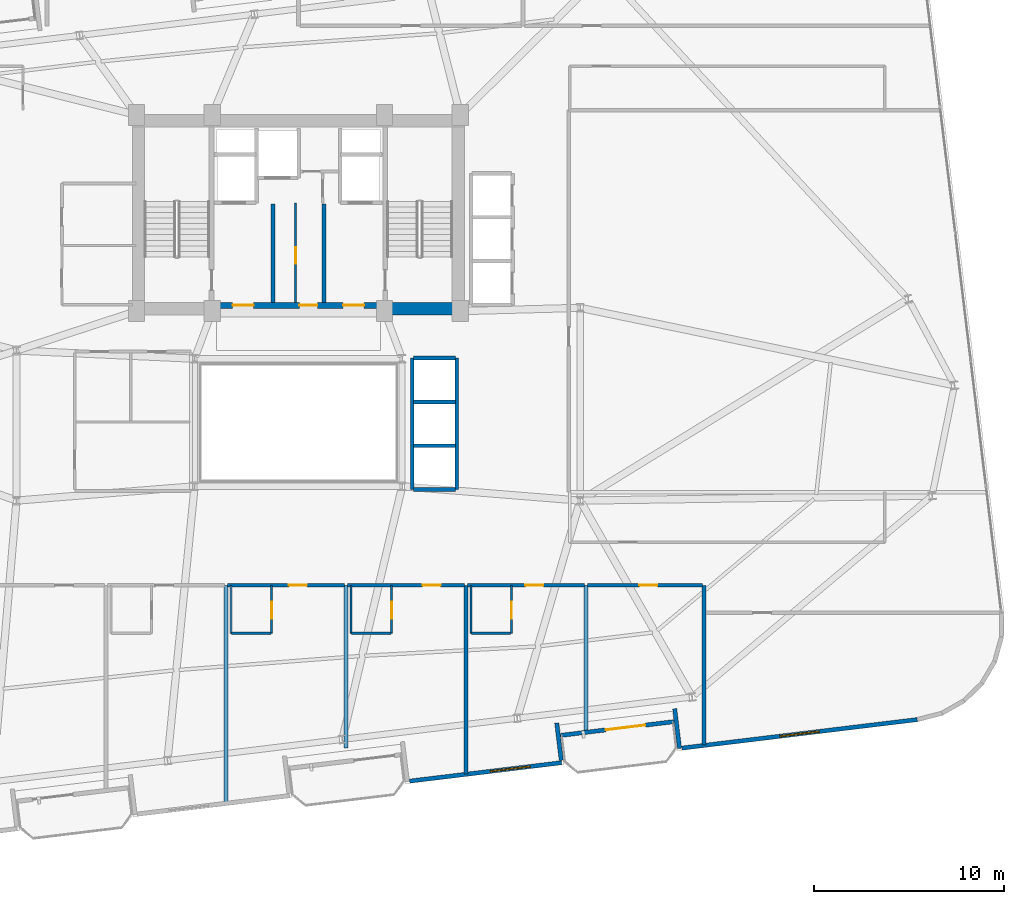
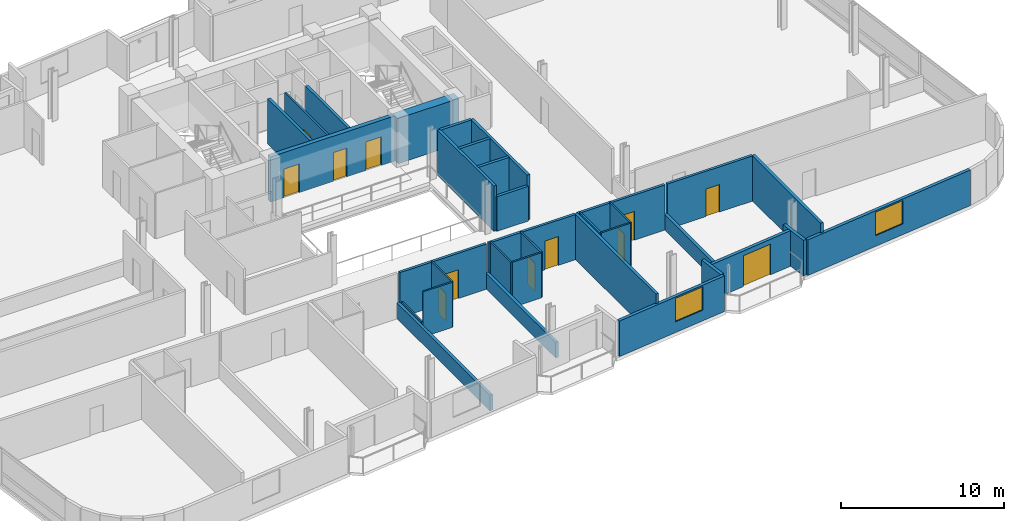
# One storey, part 15 of 22: 34 walls, 12 doors, 2 windows, 14 openings.
"""IFC4 building model written with IfcOpenShell, lengths in metres."""

from ifc_helpers import new_model, si_unit, direction, frame, frame_2d, origin, place, context, subcontext, project, spatial, rectangle, extrude, material, layer, layer_set, type_object, element, fill, save


model = new_model("IFC4")

# Units and contexts
model_context = context("Model", 3, precision=1e-05, world=origin(), true_north=direction((0.0, 1.0)))
body_context = subcontext(model_context, "Body", "Model", "MODEL_VIEW")
ifc_project = project(units=[si_unit("LENGTHUNIT", "METRE"), si_unit("AREAUNIT", "SQUARE_METRE"), si_unit("VOLUMEUNIT", "CUBIC_METRE"), si_unit("PLANEANGLEUNIT", "RADIAN"), si_unit("MASSUNIT", "GRAM", prefix="KILO")], contexts=[model_context])

# Site, building, storey
site_placement = place(None, origin())
site = spatial("IfcSite", under=ifc_project, at=site_placement, CompositionType="ELEMENT")
building_placement = place(site_placement, origin())
building = spatial("IfcBuilding", under=site, at=building_placement, Name="Varnelok Gate Tower", CompositionType="ELEMENT")
storey_placement = place(building_placement, frame((0.0, 0.0, 204.199951171875)))
storey = spatial("IfcBuildingStorey", under=building, at=storey_placement, Name="L52", CompositionType="ELEMENT", Elevation=204.199951171875)

# Wall, opening, door
ifc_material_1 = material(Name="Concrete C45/55", Category="concrete")
ifc_layer_1 = layer(ifc_material_1, 0.219970703125)
ifc_layer_set_1 = layer_set([ifc_layer_1], Name="Concrete C45/55")
wall_type_1 = type_object("IfcWallType", Name="EW-BALC-220", PredefinedType="SOLIDWALL", material=ifc_layer_set_1)
wall_1_placement = place(storey_placement, frame((58.922607421875, 7.19189453125, 0.0), z_axis=(0.0, 0.0, 1.0), x_axis=(-0.992729951822, -0.120362962556, 0.0)))
wall_1 = element("IfcWall", 1, at=wall_1_placement, inside=storey, type_object=wall_type_1, Name="L52 South Terrace Envelope Wall 3", PredefinedType="SOLIDWALL", context=body_context, shape_type="SweptSolid", body=[
    extrude(rectangle(XDim=6.0, YDim=0.219970703125, at=frame_2d((3.0, 0.0))), origin(), (0.0, 0.0, 1.0), 2.66015625),
])
opening_1_placement = place(wall_1_placement, frame((1.51611328125, 0.0, 0.0)))
opening_1 = element("IfcOpeningElement", 2, at=opening_1_placement, cuts=wall_1, Name="Opening BD-2", PredefinedType="OPENING", context=body_context, shape_type="SweptSolid", body=[
    extrude(rectangle(XDim=2.10009765625, YDim=2.300048828125, at=frame_2d((1.050048828125, 1.14990234375))), frame((0.0, 0.119873046875, 0.0), z_axis=(0.0, -1.0, 0.0), x_axis=(1.0, 0.0, 0.0)), (0.0, 0.0, 1.0), 0.239990234375),
])
ifc_material_2 = material(Name="Anodized Aluminum Alloy 6063-T6", Category="aluminium")
door_type_1 = type_object("IfcDoorType", Name="DR-EXT-SLID2100", OperationType="SLIDING_TO_LEFT", PredefinedType="DOOR", material=ifc_material_2)
door_1_placement = place(opening_1_placement, origin())
door_1 = element("IfcDoor", 3, at=door_1_placement, inside=storey, type_object=door_type_1, Name="L52 South Balcony Glazed Door 3", OperationType="SLIDING_TO_LEFT", OverallHeight=2.300048828125, OverallWidth=2.10009765625, PredefinedType="DOOR", context=body_context, shape_type="SweptSolid", body=[
    extrude(rectangle(XDim=2.10009765625, YDim=2.300048828125, at=frame_2d((1.050048828125, 1.14990234375))), frame((0.0, 0.02490234375, 0.0), z_axis=(0.0, -1.0, 0.0), x_axis=(1.0, 0.0, 0.0)), (0.0, 0.0, 1.0), 0.050048828125),
])
fill(opening_1, door_1)

# Wall, opening, window
wall_2_placement = place(storey_placement, frame((45.04248046875, 4.06884765625, 0.0), z_axis=(0.0, 0.0, 1.0), x_axis=(0.992731032022, 0.120354052946, 0.0)))
wall_2 = element("IfcWall", 4, at=wall_2_placement, inside=storey, type_object=wall_type_1, Name="L52 Perimeter Facade Closure Wall 13", PredefinedType="SOLIDWALL", context=body_context, shape_type="SweptSolid", body=[
    extrude(rectangle(XDim=8.034912109375, YDim=0.219970703125, at=frame_2d((4.017578125, 0.0))), origin(), (0.0, 0.0, 1.0), 2.66015625),
])
opening_2_placement = place(wall_2_placement, frame((4.273193359375, 0.0, 0.800048828125)))
opening_2 = element("IfcOpeningElement", 5, at=opening_2_placement, cuts=wall_2, Name="Opening WN4", PredefinedType="OPENING", context=body_context, shape_type="SweptSolid", body=[
    extrude(rectangle(XDim=2.10009765625, YDim=1.75, at=frame_2d((1.050048828125, 0.875))), frame((0.0, 0.119873046875, 0.0), z_axis=(0.0, -1.0, 0.0), x_axis=(1.0, 0.0, 0.0)), (0.0, 0.0, 1.0), 0.239990234375),
])
ifc_material_3 = material(Name="Low-E Laminated Double Glazing IGU", Category="glass")
window_type = type_object("IfcWindowType", Name="WN-SUI-2100", PartitioningType="SINGLE_PANEL", PredefinedType="WINDOW", material=ifc_material_3)
window_1_placement = place(opening_2_placement, origin())
window_1 = element("IfcWindow", 6, at=window_1_placement, inside=storey, type_object=window_type, Name="L52 Perimeter Vision Window 13", OverallHeight=1.75, OverallWidth=2.10009765625, PartitioningType="SINGLE_PANEL", PredefinedType="WINDOW", context=body_context, shape_type="SweptSolid", body=[
    extrude(rectangle(XDim=2.10009765625, YDim=1.75, at=frame_2d((1.050048828125, 0.875))), frame((0.0, 0.030029296875, 0.0), z_axis=(0.0, -1.0, 0.0), x_axis=(1.0, 0.0, 0.0)), (0.0, 0.0, 1.0), 0.06005859375),
])
fill(opening_2, window_1)

# Walls
wall_3_placement = place(storey_placement, frame((53.004150390625, 5.159912109375, 0.0), z_axis=(0.0, 0.0, 1.0), x_axis=(-0.120397815541, 0.992725725472, 0.0)))
element("IfcWall", 7, at=wall_3_placement, inside=storey, type_object=wall_type_1, Name="L52 Perimeter Facade Closure Wall 14", PredefinedType="SOLIDWALL", context=body_context, shape_type="SweptSolid", body=[
    extrude(rectangle(XDim=1.97509765625, YDim=0.219970703125, at=frame_2d((0.987548828125, 0.0))), origin(), (0.0, 0.0, 1.0), 2.66015625),
])
wall_4_placement = place(storey_placement, frame((58.961181640625, 7.87158203125, 0.0), z_axis=(0.0, 0.0, 1.0), x_axis=(0.120327895535, -0.992734202874, 0.0)))
element("IfcWall", 8, at=wall_4_placement, inside=storey, type_object=wall_type_1, Name="L52 Perimeter Facade Closure Wall 15", PredefinedType="SOLIDWALL", context=body_context, shape_type="SweptSolid", body=[
    extrude(rectangle(XDim=2.099853515625, YDim=0.219970703125, at=frame_2d((1.0498046875, 0.0))), origin(), (0.0, 0.0, 1.0), 2.66015625),
])

# Wall, opening, window
wall_5_placement = place(storey_placement, frame((59.337890625, 5.8017578125, 0.0), z_axis=(0.0, 0.0, 1.0), x_axis=(0.992731225757, 0.120352454927, 0.0)))
wall_5 = element("IfcWall", 9, at=wall_5_placement, inside=storey, type_object=wall_type_1, Name="L52 Perimeter Facade Closure Wall 16", PredefinedType="SOLIDWALL", context=body_context, shape_type="SweptSolid", body=[
    extrude(rectangle(XDim=12.447265625, YDim=0.219970703125, at=frame_2d((6.2236328125, 0.0))), origin(), (0.0, 0.0, 1.0), 2.66015625),
])
opening_3_placement = place(wall_5_placement, frame((5.173583984375, 0.0, 0.800048828125)))
opening_3 = element("IfcOpeningElement", 10, at=opening_3_placement, cuts=wall_5, Name="Opening WN4", PredefinedType="OPENING", context=body_context, shape_type="SweptSolid", body=[
    extrude(rectangle(XDim=2.10009765625, YDim=1.75, at=frame_2d((1.050048828125, 0.875))), frame((0.0, 0.119873046875, 0.0), z_axis=(0.0, -1.0, 0.0), x_axis=(1.0, 0.0, 0.0)), (0.0, 0.0, 1.0), 0.239990234375),
])
window_2_placement = place(opening_3_placement, origin())
window_2 = element("IfcWindow", 11, at=window_2_placement, inside=storey, type_object=window_type, Name="L52 Perimeter Vision Window 16", OverallHeight=1.75, OverallWidth=2.10009765625, PartitioningType="SINGLE_PANEL", PredefinedType="WINDOW", context=body_context, shape_type="SweptSolid", body=[
    extrude(rectangle(XDim=2.10009765625, YDim=1.75, at=frame_2d((1.050048828125, 0.875))), frame((0.0, 0.030029296875, 0.0), z_axis=(0.0, -1.0, 0.0), x_axis=(1.0, 0.0, 0.0)), (0.0, 0.0, 1.0), 0.06005859375),
])
fill(opening_3, window_2)

# Wall, opening, door
ifc_material_4 = material(Name="Gypsum Plasterboard Acoustic Partition", Category="gypsum")
ifc_layer_2 = layer(ifc_material_4, 0.179931640625)
ifc_layer_set_2 = layer_set([ifc_layer_2], Name="Gypsum Plasterboard Acoustic Partition")
wall_type_2 = type_object("IfcWallType", Name="PW-CORR-180", PredefinedType="PARTITIONING", material=ifc_layer_set_2)
wall_6_placement = place(storey_placement, frame((35.47998046875, 14.35009765625, 0.0), z_axis=(0.0, 0.0, 1.0), x_axis=(1.0, 0.0, 0.0)))
wall_6 = element("IfcWall", 12, at=wall_6_placement, inside=storey, type_object=wall_type_2, Name="Interior Partition", PredefinedType="PARTITIONING", context=body_context, shape_type="SweptSolid", body=[
    extrude(rectangle(XDim=6.14013671875, YDim=0.179931640625, at=frame_2d((3.070068359375, 0.0))), origin(), (0.0, 0.0, 1.0), 3.380126953125),
])
opening_4_placement = place(wall_6_placement, frame((3.21435546875, 0.0, 0.0)))
opening_4 = element("IfcOpeningElement", 13, at=opening_4_placement, cuts=wall_6, Name="Opening D-HT", PredefinedType="OPENING", context=body_context, shape_type="SweptSolid", body=[
    extrude(rectangle(XDim=0.949951171875, YDim=2.14990234375, at=frame_2d((0.47509765625, 1.074951171875))), frame((0.0, 0.099853515625, 0.0), z_axis=(0.0, -1.0, 0.0), x_axis=(1.0, 0.0, 0.0)), (0.0, 0.0, 1.0), 0.199951171875),
])
ifc_material_5 = material(Name="Engineered Hardwood Timber", Category="wood")
door_type_2 = type_object("IfcDoorType", Name="DR-HTL-950", OperationType="NOTDEFINED", PredefinedType="DOOR", material=ifc_material_5)
door_2_placement = place(opening_4_placement, origin())
door_2 = element("IfcDoor", 14, at=door_2_placement, inside=storey, type_object=door_type_2, Name="L52 Guest Room 05 Entrance Door", OperationType="SINGLE_SWING_RIGHT", OverallHeight=2.14990234375, OverallWidth=0.949951171875, PredefinedType="DOOR", context=body_context, shape_type="SweptSolid", body=[
    extrude(rectangle(XDim=0.949951171875, YDim=2.14990234375, at=frame_2d((0.47509765625, 1.074951171875))), frame((0.0, 0.02490234375, 0.0), z_axis=(0.0, -1.0, 0.0), x_axis=(1.0, 0.0, 0.0)), (0.0, 0.0, 1.0), 0.050048828125),
])
fill(opening_4, door_2)

wall_7_placement = place(storey_placement, frame((41.780029296875, 14.35009765625, 0.0), z_axis=(0.0, 0.0, 1.0), x_axis=(1.0, 0.0, 0.0)))
wall_7 = element("IfcWall", 15, at=wall_7_placement, inside=storey, type_object=wall_type_2, Name="Interior Partition", PredefinedType="PARTITIONING", context=body_context, shape_type="SweptSolid", body=[
    extrude(rectangle(XDim=6.139892578125, YDim=0.179931640625, at=frame_2d((3.06982421875, 0.0))), origin(), (0.0, 0.0, 1.0), 3.380126953125),
])
opening_5_placement = place(wall_7_placement, frame((3.94580078125, 0.0, 0.0)))
opening_5 = element("IfcOpeningElement", 16, at=opening_5_placement, cuts=wall_7, Name="Opening D-HT", PredefinedType="OPENING", context=body_context, shape_type="SweptSolid", body=[
    extrude(rectangle(XDim=0.949951171875, YDim=2.14990234375, at=frame_2d((0.47509765625, 1.074951171875))), frame((0.0, 0.099853515625, 0.0), z_axis=(0.0, -1.0, 0.0), x_axis=(1.0, 0.0, 0.0)), (0.0, 0.0, 1.0), 0.199951171875),
])
door_3_placement = place(opening_5_placement, origin())
door_3 = element("IfcDoor", 17, at=door_3_placement, inside=storey, type_object=door_type_2, Name="L52 Guest Room 06 Entrance Door", OperationType="SINGLE_SWING_LEFT", OverallHeight=2.14990234375, OverallWidth=0.949951171875, PredefinedType="DOOR", context=body_context, shape_type="SweptSolid", body=[
    extrude(rectangle(XDim=0.949951171875, YDim=2.14990234375, at=frame_2d((0.47509765625, 1.074951171875))), frame((0.0, 0.02490234375, 0.0), z_axis=(0.0, -1.0, 0.0), x_axis=(1.0, 0.0, 0.0)), (0.0, 0.0, 1.0), 0.050048828125),
])
fill(opening_5, door_3)

wall_8_placement = place(storey_placement, frame((48.080078125, 14.35009765625, 0.0), z_axis=(0.0, 0.0, 1.0), x_axis=(1.0, 0.0, 0.0)))
wall_8 = element("IfcWall", 18, at=wall_8_placement, inside=storey, type_object=wall_type_2, Name="Interior Partition", PredefinedType="PARTITIONING", context=body_context, shape_type="SweptSolid", body=[
    extrude(rectangle(XDim=6.139892578125, YDim=0.179931640625, at=frame_2d((3.06982421875, 0.0))), origin(), (0.0, 0.0, 1.0), 3.380126953125),
])
opening_6_placement = place(wall_8_placement, frame((3.038818359375, 0.0, 0.0)))
opening_6 = element("IfcOpeningElement", 19, at=opening_6_placement, cuts=wall_8, Name="Opening D-HT", PredefinedType="OPENING", context=body_context, shape_type="SweptSolid", body=[
    extrude(rectangle(XDim=0.949951171875, YDim=2.14990234375, at=frame_2d((0.47509765625, 1.074951171875))), frame((0.0, 0.099853515625, 0.0), z_axis=(0.0, -1.0, 0.0), x_axis=(1.0, 0.0, 0.0)), (0.0, 0.0, 1.0), 0.199951171875),
])
door_4_placement = place(opening_6_placement, origin())
door_4 = element("IfcDoor", 20, at=door_4_placement, inside=storey, type_object=door_type_2, Name="L52 Guest Room 07 Entrance Door", OperationType="SINGLE_SWING_RIGHT", OverallHeight=2.14990234375, OverallWidth=0.949951171875, PredefinedType="DOOR", context=body_context, shape_type="SweptSolid", body=[
    extrude(rectangle(XDim=0.949951171875, YDim=2.14990234375, at=frame_2d((0.47509765625, 1.074951171875))), frame((0.0, 0.02490234375, 0.0), z_axis=(0.0, -1.0, 0.0), x_axis=(1.0, 0.0, 0.0)), (0.0, 0.0, 1.0), 0.050048828125),
])
fill(opening_6, door_4)

wall_9_placement = place(storey_placement, frame((54.3798828125, 14.35009765625, 0.0), z_axis=(0.0, 0.0, 1.0), x_axis=(1.0, 0.0, 0.0)))
wall_9 = element("IfcWall", 21, at=wall_9_placement, inside=storey, type_object=wall_type_2, Name="Interior Partition", PredefinedType="PARTITIONING", context=body_context, shape_type="SweptSolid", body=[
    extrude(rectangle(XDim=6.0400390625, YDim=0.179931640625, at=frame_2d((3.02001953125, 0.0))), origin(), (0.0, 0.0, 1.0), 3.380126953125),
])
opening_7_placement = place(wall_9_placement, frame((2.723876953125, 0.0, 0.0)))
opening_7 = element("IfcOpeningElement", 22, at=opening_7_placement, cuts=wall_9, Name="Opening D-I2", PredefinedType="OPENING", context=body_context, shape_type="SweptSolid", body=[
    extrude(rectangle(XDim=0.949951171875, YDim=2.050048828125, at=frame_2d((0.47509765625, 1.02490234375))), frame((0.0, 0.099853515625, 0.0), z_axis=(0.0, -1.0, 0.0), x_axis=(1.0, 0.0, 0.0)), (0.0, 0.0, 1.0), 0.199951171875),
])
door_type_3 = type_object("IfcDoorType", Name="DR-INT-950", OperationType="NOTDEFINED", PredefinedType="DOOR", material=ifc_material_5)
door_5_placement = place(opening_7_placement, origin())
door_5 = element("IfcDoor", 23, at=door_5_placement, inside=storey, type_object=door_type_3, Name="L52 Hotel Business Center Door", OperationType="SINGLE_SWING_LEFT", OverallHeight=2.050048828125, OverallWidth=0.949951171875, PredefinedType="DOOR", context=body_context, shape_type="SweptSolid", body=[
    extrude(rectangle(XDim=0.949951171875, YDim=2.050048828125, at=frame_2d((0.47509765625, 1.02490234375))), frame((0.0, 0.02490234375, 0.0), z_axis=(0.0, -1.0, 0.0), x_axis=(1.0, 0.0, 0.0)), (0.0, 0.0, 1.0), 0.050048828125),
])
fill(opening_7, door_5)

# Wall
ifc_layer_3 = layer(ifc_material_4, 0.114990234375)
ifc_layer_set_3 = layer_set([ifc_layer_3], Name="Gypsum Plasterboard Acoustic Partition")
wall_type_3 = type_object("IfcWallType", Name="PW-ENS-125", PredefinedType="PARTITIONING", material=ifc_layer_set_3)
wall_10_placement = place(storey_placement, frame((35.699951171875, 11.830078125, 0.0), z_axis=(0.0, 0.0, 1.0), x_axis=(1.0, 0.0, 0.0)))
element("IfcWall", 24, at=wall_10_placement, inside=storey, type_object=wall_type_3, Name="Interior Partition", PredefinedType="PARTITIONING", context=body_context, shape_type="SweptSolid", body=[
    extrude(rectangle(XDim=2.052001953125, YDim=0.114990234375, at=frame_2d((1.02587890625, 0.0))), origin(), (0.0, 0.0, 1.0), 3.380126953125),
])

# Wall, opening, door
wall_11_placement = place(storey_placement, frame((37.7919921875, 11.830078125, 0.0), z_axis=(0.0, 0.0, 1.0), x_axis=(0.0, 1.0, 0.0)))
wall_11 = element("IfcWall", 25, at=wall_11_placement, inside=storey, type_object=wall_type_3, Name="Interior Partition", PredefinedType="PARTITIONING", context=body_context, shape_type="SweptSolid", body=[
    extrude(rectangle(XDim=2.52001953125, YDim=0.114990234375, at=frame_2d((1.260009765625, 0.0))), origin(), (0.0, 0.0, 1.0), 3.380126953125),
])
opening_8_placement = place(wall_11_placement, frame((0.760009765625, 0.0, 0.0)))
opening_8 = element("IfcOpeningElement", 26, at=opening_8_placement, cuts=wall_11, Name="Opening D-WC", PredefinedType="OPENING", context=body_context, shape_type="SweptSolid", body=[
    extrude(rectangle(XDim=0.89990234375, YDim=2.050048828125, at=frame_2d((0.449951171875, 1.02490234375))), frame((0.0, 0.0673828125, 0.0), z_axis=(0.0, -1.0, 0.0), x_axis=(1.0, 0.0, 0.0)), (0.0, 0.0, 1.0), 0.135009765625),
])
door_type_4 = type_object("IfcDoorType", Name="DR-BATH-900", OperationType="NOTDEFINED", PredefinedType="DOOR", material=ifc_material_5)
door_6_placement = place(opening_8_placement, origin())
door_6 = element("IfcDoor", 27, at=door_6_placement, inside=storey, type_object=door_type_4, Name="L52 Guest En-Suite 05 Door", OperationType="SINGLE_SWING_LEFT", OverallHeight=2.050048828125, OverallWidth=0.89990234375, PredefinedType="DOOR", context=body_context, shape_type="SweptSolid", body=[
    extrude(rectangle(XDim=0.89990234375, YDim=2.050048828125, at=frame_2d((0.449951171875, 1.02490234375))), frame((0.0, 0.02490234375, 0.0), z_axis=(0.0, -1.0, 0.0), x_axis=(1.0, 0.0, 0.0)), (0.0, 0.0, 1.0), 0.050048828125),
])
fill(opening_8, door_6)

# Walls
wall_12_placement = place(storey_placement, frame((35.659912109375, 11.830078125, 0.0), z_axis=(0.0, 0.0, 1.0), x_axis=(0.0, 1.0, 0.0)))
element("IfcWall", 28, at=wall_12_placement, inside=storey, type_object=wall_type_3, Name="Interior Partition", PredefinedType="PARTITIONING", context=body_context, shape_type="SweptSolid", body=[
    extrude(rectangle(XDim=2.52001953125, YDim=0.114990234375, at=frame_2d((1.260009765625, 0.0))), origin(), (0.0, 0.0, 1.0), 1.1650390625),
])
wall_13_placement = place(storey_placement, frame((42.0, 11.830078125, 0.0), z_axis=(0.0, 0.0, 1.0), x_axis=(1.0, 0.0, 0.0)))
element("IfcWall", 29, at=wall_13_placement, inside=storey, type_object=wall_type_3, Name="Interior Partition", PredefinedType="PARTITIONING", context=body_context, shape_type="SweptSolid", body=[
    extrude(rectangle(XDim=2.052001953125, YDim=0.114990234375, at=frame_2d((1.02587890625, 0.0))), origin(), (0.0, 0.0, 1.0), 3.380126953125),
])

# Wall, opening, door
wall_14_placement = place(storey_placement, frame((44.092041015625, 11.830078125, 0.0), z_axis=(0.0, 0.0, 1.0), x_axis=(0.0, 1.0, 0.0)))
wall_14 = element("IfcWall", 30, at=wall_14_placement, inside=storey, type_object=wall_type_3, Name="Interior Partition", PredefinedType="PARTITIONING", context=body_context, shape_type="SweptSolid", body=[
    extrude(rectangle(XDim=2.52001953125, YDim=0.114990234375, at=frame_2d((1.260009765625, 0.0))), origin(), (0.0, 0.0, 1.0), 3.380126953125),
])
opening_9_placement = place(wall_14_placement, frame((0.760009765625, 0.0, 0.0)))
opening_9 = element("IfcOpeningElement", 31, at=opening_9_placement, cuts=wall_14, Name="Opening D-WC", PredefinedType="OPENING", context=body_context, shape_type="SweptSolid", body=[
    extrude(rectangle(XDim=0.89990234375, YDim=2.050048828125, at=frame_2d((0.449951171875, 1.02490234375))), frame((0.0, 0.0673828125, 0.0), z_axis=(0.0, -1.0, 0.0), x_axis=(1.0, 0.0, 0.0)), (0.0, 0.0, 1.0), 0.135009765625),
])
door_7_placement = place(opening_9_placement, origin())
door_7 = element("IfcDoor", 32, at=door_7_placement, inside=storey, type_object=door_type_4, Name="L52 Guest En-Suite 06 Door", OperationType="SINGLE_SWING_LEFT", OverallHeight=2.050048828125, OverallWidth=0.89990234375, PredefinedType="DOOR", context=body_context, shape_type="SweptSolid", body=[
    extrude(rectangle(XDim=0.89990234375, YDim=2.050048828125, at=frame_2d((0.449951171875, 1.02490234375))), frame((0.0, 0.02490234375, 0.0), z_axis=(0.0, -1.0, 0.0), x_axis=(1.0, 0.0, 0.0)), (0.0, 0.0, 1.0), 0.050048828125),
])
fill(opening_9, door_7)

# Walls
wall_15_placement = place(storey_placement, frame((41.9599609375, 11.830078125, 0.0), z_axis=(0.0, 0.0, 1.0), x_axis=(0.0, 1.0, 0.0)))
element("IfcWall", 33, at=wall_15_placement, inside=storey, type_object=wall_type_3, Name="Interior Partition", PredefinedType="PARTITIONING", context=body_context, shape_type="SweptSolid", body=[
    extrude(rectangle(XDim=2.52001953125, YDim=0.114990234375, at=frame_2d((1.260009765625, 0.0))), origin(), (0.0, 0.0, 1.0), 3.380126953125),
])
wall_16_placement = place(storey_placement, frame((48.300048828125, 11.830078125, 0.0), z_axis=(0.0, 0.0, 1.0), x_axis=(1.0, 0.0, 0.0)))
element("IfcWall", 34, at=wall_16_placement, inside=storey, type_object=wall_type_3, Name="Interior Partition", PredefinedType="PARTITIONING", context=body_context, shape_type="SweptSolid", body=[
    extrude(rectangle(XDim=2.052001953125, YDim=0.114990234375, at=frame_2d((1.02587890625, 0.0))), origin(), (0.0, 0.0, 1.0), 3.380126953125),
])

# Wall, opening, door
wall_17_placement = place(storey_placement, frame((50.39208984375, 11.830078125, 0.0), z_axis=(0.0, 0.0, 1.0), x_axis=(0.0, 1.0, 0.0)))
wall_17 = element("IfcWall", 35, at=wall_17_placement, inside=storey, type_object=wall_type_3, Name="Interior Partition", PredefinedType="PARTITIONING", context=body_context, shape_type="SweptSolid", body=[
    extrude(rectangle(XDim=2.52001953125, YDim=0.114990234375, at=frame_2d((1.260009765625, 0.0))), origin(), (0.0, 0.0, 1.0), 3.380126953125),
])
opening_10_placement = place(wall_17_placement, frame((0.760009765625, 0.0, 0.0)))
opening_10 = element("IfcOpeningElement", 36, at=opening_10_placement, cuts=wall_17, Name="Opening D-WC", PredefinedType="OPENING", context=body_context, shape_type="SweptSolid", body=[
    extrude(rectangle(XDim=0.89990234375, YDim=2.050048828125, at=frame_2d((0.449951171875, 1.02490234375))), frame((0.0, 0.0673828125, 0.0), z_axis=(0.0, -1.0, 0.0), x_axis=(1.0, 0.0, 0.0)), (0.0, 0.0, 1.0), 0.135009765625),
])
door_8_placement = place(opening_10_placement, origin())
door_8 = element("IfcDoor", 37, at=door_8_placement, inside=storey, type_object=door_type_4, Name="L52 Guest En-Suite 07 Door", OperationType="SINGLE_SWING_LEFT", OverallHeight=2.050048828125, OverallWidth=0.89990234375, PredefinedType="DOOR", context=body_context, shape_type="SweptSolid", body=[
    extrude(rectangle(XDim=0.89990234375, YDim=2.050048828125, at=frame_2d((0.449951171875, 1.02490234375))), frame((0.0, 0.02490234375, 0.0), z_axis=(0.0, -1.0, 0.0), x_axis=(1.0, 0.0, 0.0)), (0.0, 0.0, 1.0), 0.050048828125),
])
fill(opening_10, door_8)

# Wall
wall_18_placement = place(storey_placement, frame((48.260009765625, 11.830078125, 0.0), z_axis=(0.0, 0.0, 1.0), x_axis=(0.0, 1.0, 0.0)))
element("IfcWall", 38, at=wall_18_placement, inside=storey, type_object=wall_type_3, Name="Interior Partition", PredefinedType="PARTITIONING", context=body_context, shape_type="SweptSolid", body=[
    extrude(rectangle(XDim=2.52001953125, YDim=0.114990234375, at=frame_2d((1.260009765625, 0.0))), origin(), (0.0, 0.0, 1.0), 3.380126953125),
])

# Wall, opening, door
ifc_layer_4 = layer(ifc_material_4, 0.125)
ifc_layer_set_4 = layer_set([ifc_layer_4], Name="Gypsum Plasterboard Acoustic Partition")
wall_type_4 = type_object("IfcWallType", Name="PW-PART-125", PredefinedType="PARTITIONING", material=ifc_layer_set_4)
wall_19_placement = place(storey_placement, frame((39.050048828125, 29.199951171875, 0.0), z_axis=(0.0, 0.0, 1.0), x_axis=(0.0, 1.0, 0.0)))
wall_19 = element("IfcWall", 39, at=wall_19_placement, inside=storey, type_object=wall_type_4, Name="Interior Partition", PredefinedType="PARTITIONING", context=body_context, shape_type="SweptSolid", body=[
    extrude(rectangle(XDim=5.219970703125, YDim=0.125, at=frame_2d((2.60986328125, 0.0))), origin(), (0.0, 0.0, 1.0), 3.380126953125),
])
opening_11_placement = place(wall_19_placement, frame((2.050048828125, 0.0, 0.0)))
opening_11 = element("IfcOpeningElement", 40, at=opening_11_placement, cuts=wall_19, Name="Opening D-RS", PredefinedType="OPENING", context=body_context, shape_type="SweptSolid", body=[
    extrude(rectangle(XDim=0.85009765625, YDim=2.050048828125, at=frame_2d((0.425048828125, 1.02490234375))), frame((0.0, 0.072509765625, 0.0), z_axis=(0.0, -1.0, 0.0), x_axis=(1.0, 0.0, 0.0)), (0.0, 0.0, 1.0), 0.14501953125),
])
ifc_material_6 = material(Name="Galvanized Steel Grade S350GD", Category="steel")
door_type_5 = type_object("IfcDoorType", Name="DR-RISER-850", OperationType="NOTDEFINED", PredefinedType="DOOR", material=ifc_material_6)
door_9_placement = place(opening_11_placement, origin())
door_9 = element("IfcDoor", 41, at=door_9_placement, inside=storey, type_object=door_type_5, Name="L52 Housekeeping Linen Door", OperationType="SINGLE_SWING_LEFT", OverallHeight=2.050048828125, OverallWidth=0.85009765625, PredefinedType="DOOR", context=body_context, shape_type="SweptSolid", body=[
    extrude(rectangle(XDim=0.85009765625, YDim=2.050048828125, at=frame_2d((0.425048828125, 1.02490234375))), frame((0.0, 0.02490234375, 0.0), z_axis=(0.0, -1.0, 0.0), x_axis=(1.0, 0.0, 0.0)), (0.0, 0.0, 1.0), 0.050048828125),
])
fill(opening_11, door_9)

# Walls
ifc_layer_5 = layer(ifc_material_4, 0.205078125)
ifc_layer_set_5 = layer_set([ifc_layer_5], Name="Gypsum Plasterboard Acoustic Partition")
wall_type_5 = type_object("IfcWallType", Name="PW-PARTY-200", PredefinedType="PARTITIONING", material=ifc_layer_set_5)
wall_20_placement = place(storey_placement, frame((35.39990234375, 2.919921875, 0.0), z_axis=(0.0, 0.0, 1.0), x_axis=(0.0, 1.0, 0.0)))
element("IfcWall", 42, at=wall_20_placement, inside=storey, type_object=wall_type_5, Name="L52 South Party Wall 4", PredefinedType="PARTITIONING", context=body_context, shape_type="SweptSolid", body=[
    extrude(rectangle(XDim=11.43017578125, YDim=0.205078125, at=frame_2d((5.715087890625, 0.0))), origin(), (0.0, 0.0, 1.0), 1.1650390625),
])
wall_21_placement = place(storey_placement, frame((41.699951171875, 5.799072265625, 0.0), z_axis=(0.0, 0.0, 1.0), x_axis=(0.0, 1.0, 0.0)))
element("IfcWall", 43, at=wall_21_placement, inside=storey, type_object=wall_type_5, Name="L52 South Party Wall 5", PredefinedType="PARTITIONING", context=body_context, shape_type="SweptSolid", body=[
    extrude(rectangle(XDim=8.551025390625, YDim=0.205078125, at=frame_2d((4.275390625, 0.0))), origin(), (0.0, 0.0, 1.0), 1.1650390625),
])
wall_22_placement = place(storey_placement, frame((48.0, 4.447509765625, 0.0), z_axis=(0.0, 0.0, 1.0), x_axis=(0.0, 1.0, 0.0)))
element("IfcWall", 44, at=wall_22_placement, inside=storey, type_object=wall_type_5, Name="L52 South Party Wall 6", PredefinedType="PARTITIONING", context=body_context, shape_type="SweptSolid", body=[
    extrude(rectangle(XDim=9.902587890625, YDim=0.205078125, at=frame_2d((4.951171875, 0.0))), origin(), (0.0, 0.0, 1.0), 3.380126953125),
])
wall_23_placement = place(storey_placement, frame((54.300048828125, 6.736572265625, 0.0), z_axis=(0.0, 0.0, 1.0), x_axis=(0.0, 1.0, 0.0)))
element("IfcWall", 45, at=wall_23_placement, inside=storey, type_object=wall_type_5, Name="L52 South Party Wall 7", PredefinedType="PARTITIONING", context=body_context, shape_type="SweptSolid", body=[
    extrude(rectangle(XDim=7.613525390625, YDim=0.205078125, at=frame_2d((3.806640625, 0.0))), origin(), (0.0, 0.0, 1.0), 1.1650390625),
])
wall_24_placement = place(storey_placement, frame((60.5, 5.962890625, 0.0), z_axis=(0.0, 0.0, 1.0), x_axis=(0.0, 1.0, 0.0)))
element("IfcWall", 46, at=wall_24_placement, inside=storey, type_object=wall_type_5, Name="L52 South Party Wall 8", PredefinedType="PARTITIONING", context=body_context, shape_type="SweptSolid", body=[
    extrude(rectangle(XDim=8.38720703125, YDim=0.205078125, at=frame_2d((4.193603515625, 0.0))), origin(), (0.0, 0.0, 1.0), 3.380126953125),
])
ifc_material_7 = material(Name="Concrete C35/45", Category="concrete")
ifc_layer_6 = layer(ifc_material_7, 0.199951171875)
ifc_layer_set_6 = layer_set([ifc_layer_6], Name="Concrete C35/45")
wall_type_6 = type_object("IfcWallType", Name="PW-SHAFT-200", PredefinedType="PARTITIONING", material=ifc_layer_set_6)
for number, where, z_axis, x_axis, name in (
    (47, (37.860107421875, 29.199951171875, 0.0), (0.0, 0.0, 1.0), (0.0, 1.0, 0.0), "L52 West FF Lobby Rated Wall"),
    (48, (40.5400390625, 29.199951171875, 0.0), (0.0, 0.0, 1.0), (0.0, 1.0, 0.0), "L52 East FF Lobby Rated Wall"),
):
    element("IfcWall", number, at=place(storey_placement, frame(where, z_axis=z_axis, x_axis=x_axis)), inside=storey, type_object=wall_type_6, Name=name, PredefinedType="PARTITIONING", context=body_context, shape_type="SweptSolid", body=[
        extrude(rectangle(XDim=5.179931640625, YDim=0.199951171875, at=frame_2d((2.58984375, 0.0))), origin(), (0.0, 0.0, 1.0), 3.380126953125),
    ])
for number, where, z_axis, x_axis, name in (
    (49, (45.239990234375, 21.675048828125, 0.0), (0.0, 0.0, 1.0), (1.0, 0.0, 0.0), "L52 PH1 Divider"),
    (50, (45.239990234375, 23.97509765625, 0.0), (0.0, 0.0, 1.0), (1.0, 0.0, 0.0), "L52 PH2 Divider"),
):
    element("IfcWall", number, at=place(storey_placement, frame(where, z_axis=z_axis, x_axis=x_axis)), inside=storey, type_object=wall_type_6, Name=name, PredefinedType="PARTITIONING", context=body_context, shape_type="SweptSolid", body=[
        extrude(rectangle(XDim=2.219970703125, YDim=0.199951171875, at=frame_2d((1.10986328125, 0.0))), origin(), (0.0, 0.0, 1.0), 3.380126953125),
    ])
wall_25_placement = place(storey_placement, frame((45.239990234375, 19.3798828125, 0.0), z_axis=(0.0, 0.0, 1.0), x_axis=(1.0, 0.0, 0.0)))
element("IfcWall", 51, at=wall_25_placement, inside=storey, type_object=wall_type_6, Name="L52 PH Bank South Wall", PredefinedType="PARTITIONING", context=body_context, shape_type="SweptSolid", body=[
    extrude(rectangle(XDim=2.219970703125, YDim=0.199951171875, at=frame_2d((1.10986328125, 0.0))), origin(), (0.0, 0.0, 1.0), 2.592041015625),
])
wall_26_placement = place(storey_placement, frame((45.239990234375, 26.280029296875, 0.0), z_axis=(0.0, 0.0, 1.0), x_axis=(1.0, 0.0, 0.0)))
element("IfcWall", 52, at=wall_26_placement, inside=storey, type_object=wall_type_6, Name="L52 PH Bank North Wall", PredefinedType="PARTITIONING", context=body_context, shape_type="SweptSolid", body=[
    extrude(rectangle(XDim=2.219970703125, YDim=0.199951171875, at=frame_2d((1.10986328125, 0.0))), origin(), (0.0, 0.0, 1.0), 3.380126953125),
])
for number, where, z_axis, x_axis, name in (
    (53, (45.179931640625, 19.3798828125, 0.0), (0.0, 0.0, 1.0), (0.0, 1.0, 0.0), "L52 PH Bank Atrium Wall"),
    (54, (47.52001953125, 19.3798828125, 0.0), (0.0, 0.0, 1.0), (0.0, 1.0, 0.0), "L52 PH Bank Front Wall"),
):
    element("IfcWall", number, at=place(storey_placement, frame(where, z_axis=z_axis, x_axis=x_axis)), inside=storey, type_object=wall_type_6, Name=name, PredefinedType="PARTITIONING", context=body_context, shape_type="SweptSolid", body=[
        extrude(rectangle(XDim=6.900146484375, YDim=0.199951171875, at=frame_2d((3.4501953125, 0.0))), origin(), (0.0, 0.0, 1.0), 3.380126953125),
    ])
ifc_material_8 = material(Name="Concrete C60/75", Category="concrete")
ifc_layer_7 = layer(ifc_material_8, 0.64990234375)
ifc_layer_set_7 = layer_set([ifc_layer_7], Name="Concrete C60/75")
wall_type_7 = type_object("IfcWallType", Name="SW-CORE-650", PredefinedType="SHEAR", material=ifc_layer_set_7)
wall_27_placement = place(storey_placement, frame((43.60009765625, 28.875, 0.0), z_axis=(0.0, 0.0, 1.0), x_axis=(1.0, 0.0, 0.0)))
element("IfcWall", 55, at=wall_27_placement, inside=storey, type_object=wall_type_7, Name="L52 Rear Core South-East Shear Wall", PredefinedType="SHEAR", context=body_context, shape_type="SweptSolid", body=[
    extrude(rectangle(XDim=4.31982421875, YDim=0.64990234375, at=frame_2d((2.159912109375, 0.0))), origin(), (0.0, 0.0, 1.0), 3.380126953125),
])

# Wall, openings, doors
ifc_layer_8 = layer(ifc_material_8, 0.300048828125)
ifc_layer_set_8 = layer_set([ifc_layer_8], Name="Concrete C60/75")
wall_type_8 = type_object("IfcWallType", Name="SW-SHAFT-300", PredefinedType="SHEAR", material=ifc_layer_set_8)
wall_28_placement = place(storey_placement, frame((34.800048828125, 29.050048828125, 0.0), z_axis=(0.0, 0.0, 1.0), x_axis=(1.0, 0.0, 0.0)))
wall_28 = element("IfcWall", 56, at=wall_28_placement, inside=storey, type_object=wall_type_8, Name="L52 Rear Core Central Lobby Shear Wall", PredefinedType="SHEAR", context=body_context, shape_type="SweptSolid", body=[
    extrude(rectangle(XDim=8.800048828125, YDim=0.300048828125, at=frame_2d((4.39990234375, 0.0))), origin(), (0.0, 0.0, 1.0), 3.380126953125),
])
opening_12_placement = place(wall_28_placement, frame((0.949951171875, 0.0, 0.0)))
opening_12 = element("IfcOpeningElement", 57, at=opening_12_placement, cuts=wall_28, Name="Opening D-FF", PredefinedType="OPENING", context=body_context, shape_type="SweptSolid", body=[
    extrude(rectangle(XDim=1.10009765625, YDim=2.14990234375, at=frame_2d((0.550048828125, 1.074951171875))), frame((0.0, 0.159912109375, 0.0), z_axis=(0.0, -1.0, 0.0), x_axis=(1.0, 0.0, 0.0)), (0.0, 0.0, 1.0), 0.320068359375),
])
opening_13_placement = place(wall_28_placement, frame((6.75, 0.0, 0.0)))
opening_13 = element("IfcOpeningElement", 58, at=opening_13_placement, cuts=wall_28, Name="Opening D-FF", PredefinedType="OPENING", context=body_context, shape_type="SweptSolid", body=[
    extrude(rectangle(XDim=1.10009765625, YDim=2.14990234375, at=frame_2d((0.550048828125, 1.074951171875))), frame((0.0, 0.159912109375, 0.0), z_axis=(0.0, -1.0, 0.0), x_axis=(1.0, 0.0, 0.0)), (0.0, 0.0, 1.0), 0.320068359375),
])
opening_14_placement = place(wall_28_placement, frame((4.449951171875, 0.0, 0.0)))
opening_14 = element("IfcOpeningElement", 59, at=opening_14_placement, cuts=wall_28, Name="Opening D-CR", PredefinedType="OPENING", context=body_context, shape_type="SweptSolid", body=[
    extrude(rectangle(XDim=0.949951171875, YDim=2.14990234375, at=frame_2d((0.47509765625, 1.074951171875))), frame((0.0, 0.159912109375, 0.0), z_axis=(0.0, -1.0, 0.0), x_axis=(1.0, 0.0, 0.0)), (0.0, 0.0, 1.0), 0.320068359375),
])
door_type_6 = type_object("IfcDoorType", Name="DR-CORR-950", OperationType="NOTDEFINED", PredefinedType="DOOR", material=ifc_material_6)
door_10_placement = place(opening_14_placement, origin())
door_10 = element("IfcDoor", 60, at=door_10_placement, inside=storey, type_object=door_type_6, Name="L52 Core Service Passage Door", OperationType="SINGLE_SWING_LEFT", OverallHeight=2.14990234375, OverallWidth=0.949951171875, PredefinedType="DOOR", context=body_context, shape_type="SweptSolid", body=[
    extrude(rectangle(XDim=0.949951171875, YDim=2.14990234375, at=frame_2d((0.47509765625, 1.074951171875))), frame((0.0, 0.02490234375, 0.0), z_axis=(0.0, -1.0, 0.0), x_axis=(1.0, 0.0, 0.0)), (0.0, 0.0, 1.0), 0.050048828125),
])
fill(opening_14, door_10)
door_type_7 = type_object("IfcDoorType", Name="DR-FFLOB-1100", OperationType="NOTDEFINED", PredefinedType="DOOR", material=ifc_material_6)
door_11_placement = place(opening_12_placement, origin())
door_11 = element("IfcDoor", 61, at=door_11_placement, inside=storey, type_object=door_type_7, Name="L52 West Firefighting Lobby Fire Door", OperationType="SINGLE_SWING_RIGHT", OverallHeight=2.14990234375, OverallWidth=1.10009765625, PredefinedType="DOOR", context=body_context, shape_type="SweptSolid", body=[
    extrude(rectangle(XDim=1.10009765625, YDim=2.14990234375, at=frame_2d((0.550048828125, 1.074951171875))), frame((0.0, 0.02490234375, 0.0), z_axis=(0.0, -1.0, 0.0), x_axis=(1.0, 0.0, 0.0)), (0.0, 0.0, 1.0), 0.050048828125),
])
fill(opening_12, door_11)
door_12_placement = place(opening_13_placement, origin())
door_12 = element("IfcDoor", 62, at=door_12_placement, inside=storey, type_object=door_type_7, Name="L52 East Firefighting Lobby Fire Door", OperationType="SINGLE_SWING_LEFT", OverallHeight=2.14990234375, OverallWidth=1.10009765625, PredefinedType="DOOR", context=body_context, shape_type="SweptSolid", body=[
    extrude(rectangle(XDim=1.10009765625, YDim=2.14990234375, at=frame_2d((0.550048828125, 1.074951171875))), frame((0.0, 0.02490234375, 0.0), z_axis=(0.0, -1.0, 0.0), x_axis=(1.0, 0.0, 0.0)), (0.0, 0.0, 1.0), 0.050048828125),
])
fill(opening_13, door_12)

save(model, "model.ifc")
